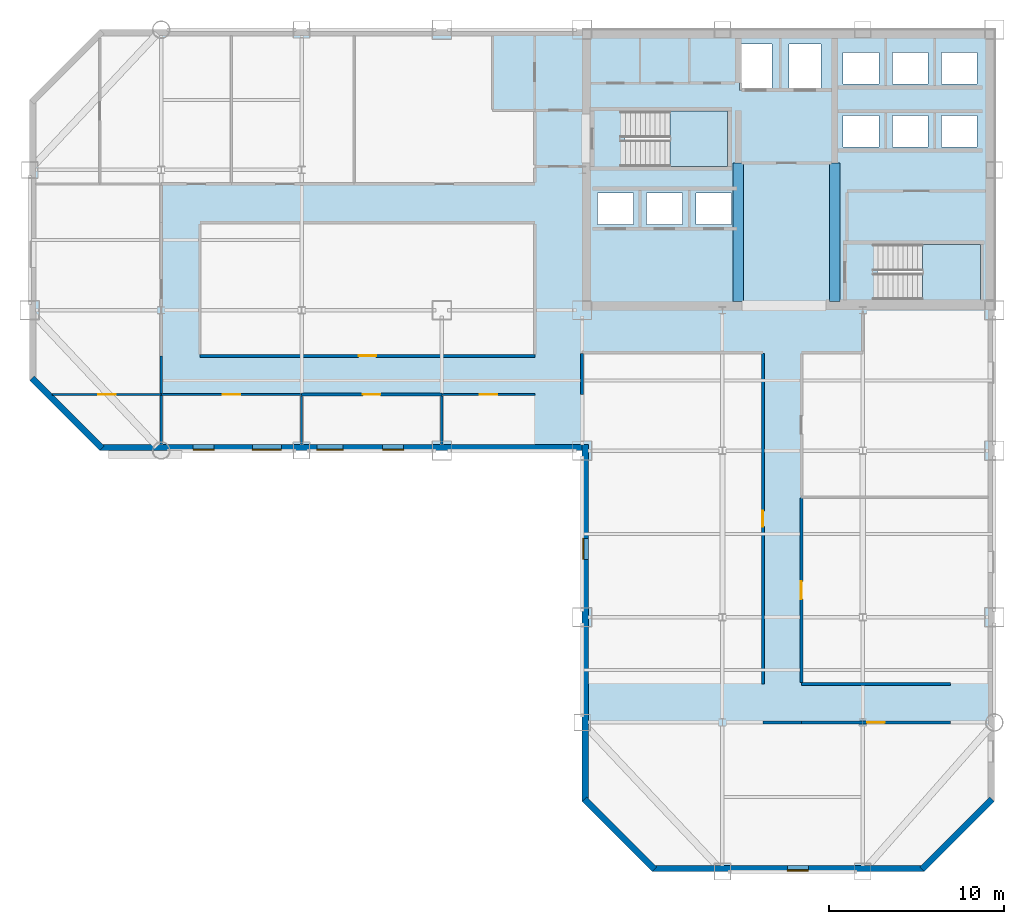
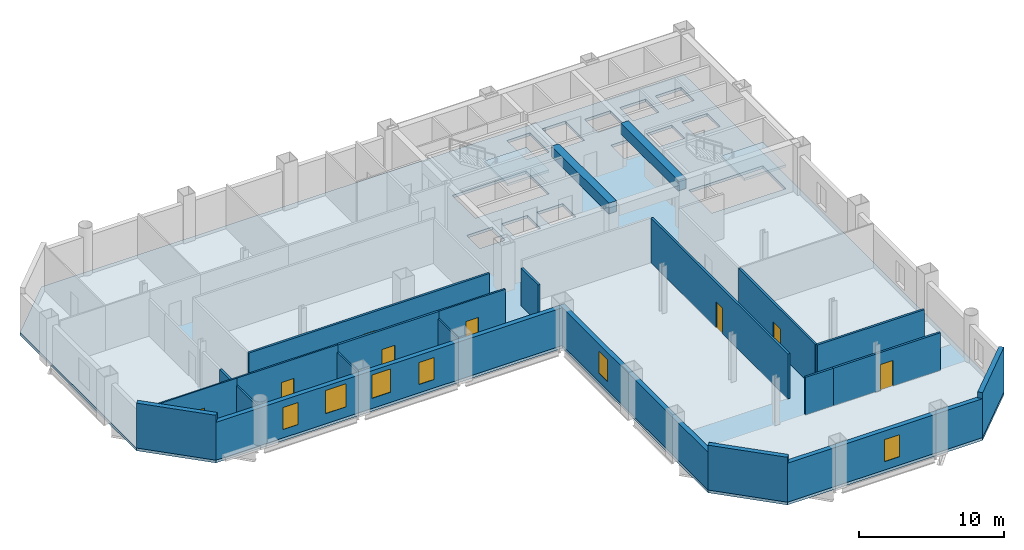
# One storey, part 5 of 10: 21 walls, 8 doors, 6 windows, 3 slabs, 2 beams, 14 openings, 2 elements without a shape of their own.
"""IFC4 building model written with IfcOpenShell, lengths in metres."""

from ifc_helpers import new_model, si_unit, direction, frame, frame_2d, origin, origin_2d, place, context, subcontext, project, spatial, polyline, rectangle, outline, extrude, material, layer, layer_set, material_profile, profile_set, type_object, element, fill, aggregate, save


model = new_model("IFC4")

# Units and contexts
model_context = context("Model", 3, precision=1e-05, world=origin(), true_north=direction((0.0, 1.0)))
body_context = subcontext(model_context, "Body", "Model", "MODEL_VIEW")
ifc_project = project(units=[si_unit("LENGTHUNIT", "METRE"), si_unit("AREAUNIT", "SQUARE_METRE"), si_unit("VOLUMEUNIT", "CUBIC_METRE"), si_unit("PLANEANGLEUNIT", "RADIAN"), si_unit("MASSUNIT", "GRAM", prefix="KILO")], contexts=[model_context])

# Site, building, storey
site_placement = place(None, origin())
site = spatial("IfcSite", under=ifc_project, at=site_placement, CompositionType="ELEMENT")
building_placement = place(site_placement, origin())
building = spatial("IfcBuilding", under=site, at=building_placement, Name="Qianrong Seaharbour Tower", CompositionType="ELEMENT")
storey_placement = place(building_placement, frame((0.0, 0.0, 171.0)))
storey = spatial("IfcBuildingStorey", under=building, at=storey_placement, Name="L41", CompositionType="ELEMENT", Elevation=171.0)

# Beams
ifc_material_1 = material(Name="Concrete C70/85", Category="concrete")
ifc_material_profile = material_profile(ifc_material_1, rectangle(XDim=0.60009765625, YDim=0.89990234375, at=origin_2d()), Name="RC600x900")
ifc_profile_set = profile_set([ifc_material_profile], Name="Concrete C70/85")
beam_type = type_object("IfcBeamType", Name="BM-LINTEL-900", PredefinedType="LINTEL", material=ifc_profile_set)
for number, where, z_axis, x_axis, name in (
    (1, (49.39990234375, 36.5, 3.31494140625), (0.0, 1.0, 0.0), (-1.0, 0.0, 0.0), "L41 Internal Core Coupling Beam IW1"),
    (2, (54.89990234375, 36.5, 3.31494140625), (0.0, 1.0, 0.0), (-1.0, 0.0, 0.0), "L41 Internal Core Coupling Beam IW2"),
):
    element("IfcBeam", number, at=place(storey_placement, frame(where, z_axis=z_axis, x_axis=x_axis)), inside=storey, type_object=beam_type, Name=name, PredefinedType="LINTEL", context=body_context, shape_type="SweptSolid", body=[
        extrude(rectangle(XDim=0.60009765625, YDim=0.89990234375, at=origin_2d()), origin(), (0.0, 0.0, 1.0), 7.89990234375),
    ])

# Stair, slab
ifc_material_2 = material(Name="Concrete C50/60", Category="concrete")
stair_type = type_object("IfcStairType", Name="STAIR-DOGLEG-1500-R22", PredefinedType="HALF_TURN_STAIR", material=ifc_material_2)
stair_1_placement = place(storey_placement, origin())
stair_1 = element("IfcStair", 3, at=stair_1_placement, inside=storey, type_object=stair_type, Name="L41 Protected Escape Stair ST-1", PredefinedType="HALF_TURN_STAIR")
ifc_layer_1 = layer(ifc_material_2, 0.199951171875)
ifc_layer_set_1 = layer_set([ifc_layer_1], Name="Concrete C50/60")
slab_type_1 = type_object("IfcSlabType", Name="SLAB-STAIR-LANDING-200", PredefinedType="LANDING", material=ifc_layer_set_1)
slab_1_placement = place(storey_placement, frame((0.0, 0.0, 1.800048828125)))
slab_1 = element("IfcSlab", 4, at=slab_1_placement, type_object=slab_type_1, Name="ST-1 landing 1", PredefinedType="LANDING", context=body_context, shape_type="SweptSolid", body=[
    extrude(outline(polyline([(45.5, 44.199951171875), (48.800048828125, 44.199951171875), (48.800048828125, 47.35009765625), (45.5, 47.35009765625), (45.5, 44.199951171875)])), origin(), (0.0, 0.0, 1.0), 0.199951171875),
])
aggregate(stair_1, [slab_1])

stair_2_placement = place(storey_placement, origin())
stair_2 = element("IfcStair", 5, at=stair_2_placement, inside=storey, type_object=stair_type, Name="L41 Protected Escape Stair ST-2", PredefinedType="HALF_TURN_STAIR")
slab_2_placement = place(storey_placement, frame((0.0, 0.0, 1.800048828125)))
slab_2 = element("IfcSlab", 6, at=slab_2_placement, type_object=slab_type_1, Name="ST-2 landing 1", PredefinedType="LANDING", context=body_context, shape_type="SweptSolid", body=[
    extrude(outline(polyline([(59.89990234375, 36.60009765625), (63.199951171875, 36.60009765625), (63.199951171875, 39.75), (59.89990234375, 39.75), (59.89990234375, 36.60009765625)])), origin(), (0.0, 0.0, 1.0), 0.199951171875),
])
aggregate(stair_2, [slab_2])

# Slab
ifc_layer_2 = layer(ifc_material_2, 0.235107421875)
ifc_layer_set_2 = layer_set([ifc_layer_2], Name="Concrete C50/60")
slab_type_2 = type_object("IfcSlabType", Name="SLAB-Z2-235", PredefinedType="FLOOR", material=ifc_layer_set_2)
slab_3_placement = place(storey_placement, frame((0.0, 0.0, -0.235107421875)))
element("IfcSlab", 7, at=slab_3_placement, inside=storey, type_object=slab_type_2, Name="L41 Structural Floor Slab", PredefinedType="FLOOR", context=body_context, shape_type="SweptSolid", body=[
    extrude(outline(polyline([(44.5, 4.0), (60.0, 4.0), (64.0, 8.0), (64.0, 52.0), (13.0, 52.0), (9.0, 48.0), (9.0, 32.0), (13.0, 28.0), (40.5, 28.0), (40.5, 8.0), (44.5, 4.0)]), holes=[polyline([(42.93994140625, 44.199951171875), (42.93994140625, 47.35009765625), (48.800048828125, 47.35009765625), (48.800048828125, 44.199951171875), (42.93994140625, 44.199951171875)]), polyline([(57.340087890625, 36.60009765625), (57.340087890625, 39.75), (63.199951171875, 39.75), (63.199951171875, 36.60009765625), (57.340087890625, 36.60009765625)]), polyline([(49.47998046875, 48.530029296875), (49.47998046875, 51.169921875), (51.320068359375, 51.169921875), (51.320068359375, 48.530029296875), (49.47998046875, 48.530029296875)]), polyline([(52.280029296875, 48.530029296875), (52.280029296875, 51.169921875), (54.1201171875, 51.169921875), (54.1201171875, 48.530029296875), (52.280029296875, 48.530029296875)]), polyline([(41.3798828125, 40.89990234375), (41.3798828125, 42.699951171875), (43.419921875, 42.699951171875), (43.419921875, 40.89990234375), (41.3798828125, 40.89990234375)]), polyline([(44.179931640625, 40.89990234375), (44.179931640625, 42.699951171875), (46.219970703125, 42.699951171875), (46.219970703125, 40.89990234375), (44.179931640625, 40.89990234375)]), polyline([(46.97998046875, 40.89990234375), (46.97998046875, 42.699951171875), (49.02001953125, 42.699951171875), (49.02001953125, 40.89990234375), (46.97998046875, 40.89990234375)]), polyline([(55.3798828125, 45.300048828125), (55.3798828125, 47.10009765625), (57.419921875, 47.10009765625), (57.419921875, 45.300048828125), (55.3798828125, 45.300048828125)]), polyline([(58.179931640625, 45.300048828125), (58.179931640625, 47.10009765625), (60.219970703125, 47.10009765625), (60.219970703125, 45.300048828125), (58.179931640625, 45.300048828125)]), polyline([(60.97998046875, 45.300048828125), (60.97998046875, 47.10009765625), (63.02001953125, 47.10009765625), (63.02001953125, 45.300048828125), (60.97998046875, 45.300048828125)]), polyline([(55.3798828125, 48.89990234375), (55.3798828125, 50.699951171875), (57.419921875, 50.699951171875), (57.419921875, 48.89990234375), (55.3798828125, 48.89990234375)]), polyline([(58.179931640625, 48.89990234375), (58.179931640625, 50.699951171875), (60.219970703125, 50.699951171875), (60.219970703125, 48.89990234375), (58.179931640625, 48.89990234375)]), polyline([(60.97998046875, 48.89990234375), (60.97998046875, 50.699951171875), (63.02001953125, 50.699951171875), (63.02001953125, 48.89990234375), (60.97998046875, 48.89990234375)])]), origin(), (0.0, 0.0, 1.0), 0.235107421875),
])

# Wall, opening, door
ifc_material_3 = material(Name="Fire-rated acoustic gypsum board partition")
ifc_layer_3 = layer(ifc_material_3, 0.1650390625)
ifc_layer_set_3 = layer_set([ifc_layer_3], Name="Fire-rated acoustic gypsum board partition")
wall_type_1 = type_object("IfcWallType", Name="WALL-CORR-PART-165", PredefinedType="PARTITIONING", material=ifc_layer_set_3)
wall_1_placement = place(storey_placement, frame((18.699951171875, 33.39990234375, 0.0), z_axis=(0.0, 0.0, 1.0), x_axis=(1.0, 0.0, 0.0)))
wall_1 = element("IfcWall", 8, at=wall_1_placement, inside=storey, type_object=wall_type_1, Name="L41 Interior Partition Wall 015", PredefinedType="PARTITIONING", context=body_context, shape_type="SweptSolid", body=[
    extrude(rectangle(XDim=19.10009765625, YDim=0.1650390625, at=frame_2d((9.550048828125, 0.0))), origin(), (0.0, 0.0, 1.0), 3.764892578125),
])
opening_1_placement = place(wall_1_placement, frame((9.050048828125, 0.0, 0.0)))
opening_1 = element("IfcOpeningElement", 9, at=opening_1_placement, cuts=wall_1, Name="Opening DO-01", PredefinedType="OPENING", context=body_context, shape_type="SweptSolid", body=[
    extrude(rectangle(XDim=1.0, YDim=2.14990234375, at=frame_2d((0.5, 1.074951171875))), frame((0.0, 0.092529296875, 0.0), z_axis=(0.0, -1.0, 0.0), x_axis=(1.0, 0.0, 0.0)), (0.0, 0.0, 1.0), 0.18505859375),
])
ifc_material_4 = material(Name="Acoustic timber and galvanized steel fire door assembly", Category="steel")
door_type_1 = type_object("IfcDoorType", Name="DOOR-OFFICE-1000x2150", OperationType="NOTDEFINED", PredefinedType="DOOR", material=ifc_material_4)
door_1_placement = place(opening_1_placement, origin())
door_1 = element("IfcDoor", 10, at=door_1_placement, inside=storey, type_object=door_type_1, Name="L41 Rehabilitation Fitness Hall Door", OperationType="SINGLE_SWING_LEFT", OverallHeight=2.14990234375, OverallWidth=1.0, PredefinedType="DOOR", context=body_context, shape_type="SweptSolid", body=[
    extrude(rectangle(XDim=1.0, YDim=2.14990234375, at=frame_2d((0.5, 1.074951171875))), frame((0.0, 0.02490234375, 0.0), z_axis=(0.0, -1.0, 0.0), x_axis=(1.0, 0.0, 0.0)), (0.0, 0.0, 1.0), 0.050048828125),
])
fill(opening_1, door_1)

wall_2_placement = place(storey_placement, frame((32.5, 31.199951171875, 0.0), z_axis=(0.0, 0.0, 1.0), x_axis=(-1.0, 0.0, 0.0)))
wall_2 = element("IfcWall", 11, at=wall_2_placement, inside=storey, type_object=wall_type_1, Name="L41 Interior Partition Wall 017", PredefinedType="PARTITIONING", context=body_context, shape_type="SweptSolid", body=[
    extrude(rectangle(XDim=8.0, YDim=0.1650390625, at=frame_2d((4.0, 0.0))), origin(), (0.0, 0.0, 1.0), 3.764892578125),
])
opening_2_placement = place(wall_2_placement, frame((3.5, 0.0, 0.0)))
opening_2 = element("IfcOpeningElement", 12, at=opening_2_placement, cuts=wall_2, Name="Opening DO-01", PredefinedType="OPENING", context=body_context, shape_type="SweptSolid", body=[
    extrude(rectangle(XDim=1.0, YDim=2.14990234375, at=frame_2d((0.5, 1.074951171875))), frame((0.0, 0.092529296875, 0.0), z_axis=(0.0, -1.0, 0.0), x_axis=(1.0, 0.0, 0.0)), (0.0, 0.0, 1.0), 0.18505859375),
])
door_2_placement = place(opening_2_placement, origin())
door_2 = element("IfcDoor", 13, at=door_2_placement, inside=storey, type_object=door_type_1, Name="L41 Wellness Room 3 Door", OperationType="SINGLE_SWING_RIGHT", OverallHeight=2.14990234375, OverallWidth=1.0, PredefinedType="DOOR", context=body_context, shape_type="SweptSolid", body=[
    extrude(rectangle(XDim=1.0, YDim=2.14990234375, at=frame_2d((0.5, 1.074951171875))), frame((0.0, 0.02490234375, 0.0), z_axis=(0.0, -1.0, 0.0), x_axis=(1.0, 0.0, 0.0)), (0.0, 0.0, 1.0), 0.050048828125),
])
fill(opening_2, door_2)

# Walls
wall_3_placement = place(storey_placement, frame((16.5, 31.257080078125, 0.0), z_axis=(0.0, 0.0, 1.0), x_axis=(0.0, 1.0, 0.0)))
element("IfcWall", 14, at=wall_3_placement, inside=storey, type_object=wall_type_1, Name="L41 Interior Partition Wall 019", PredefinedType="PARTITIONING", context=body_context, shape_type="SweptSolid", body=[
    extrude(rectangle(XDim=2.142822265625, YDim=0.1650390625, at=frame_2d((1.0712890625, 0.0))), origin(), (0.0, 0.0, 1.0), 3.156982421875),
])
wall_4_placement = place(storey_placement, frame((40.5, 33.525390625, 0.0), z_axis=(0.0, 0.0, 1.0), x_axis=(0.0, -1.0, 0.0)))
element("IfcWall", 15, at=wall_4_placement, inside=storey, type_object=wall_type_1, Name="L41 Interior Partition Wall 029", PredefinedType="PARTITIONING", context=body_context, shape_type="SweptSolid", body=[
    extrude(rectangle(XDim=2.325439453125, YDim=0.1650390625, at=frame_2d((1.16259765625, 0.0))), origin(), (0.0, 0.0, 1.0), 3.156982421875),
])
wall_5_placement = place(storey_placement, frame((53.0, 12.5, 0.0), z_axis=(0.0, 0.0, 1.0), x_axis=(-1.0, 0.0, 0.0)))
element("IfcWall", 16, at=wall_5_placement, inside=storey, type_object=wall_type_1, Name="L41 Interior Partition Wall 033", PredefinedType="PARTITIONING", context=body_context, shape_type="SweptSolid", body=[
    extrude(rectangle(XDim=2.199951171875, YDim=0.1650390625, at=frame_2d((1.10009765625, 0.0))), origin(), (0.0, 0.0, 1.0), 3.156982421875),
])

# Wall, opening, door
wall_6_placement = place(storey_placement, frame((53.0, 25.302978515625, 0.0), z_axis=(0.0, 0.0, 1.0), x_axis=(0.0, -1.0, 0.0)))
wall_6 = element("IfcWall", 17, at=wall_6_placement, inside=storey, type_object=wall_type_1, Name="L41 Interior Partition Wall 034", PredefinedType="PARTITIONING", context=body_context, shape_type="SweptSolid", body=[
    extrude(rectangle(XDim=10.528564453125, YDim=0.1650390625, at=frame_2d((5.26416015625, 0.0))), origin(), (0.0, 0.0, 1.0), 3.764892578125),
])
opening_3_placement = place(wall_6_placement, frame((4.76416015625, 0.0, 0.0)))
opening_3 = element("IfcOpeningElement", 18, at=opening_3_placement, cuts=wall_6, Name="Opening DO-01", PredefinedType="OPENING", context=body_context, shape_type="SweptSolid", body=[
    extrude(rectangle(XDim=1.0, YDim=2.14990234375, at=frame_2d((0.5, 1.074951171875))), frame((0.0, 0.092529296875, 0.0), z_axis=(0.0, -1.0, 0.0), x_axis=(1.0, 0.0, 0.0)), (0.0, 0.0, 1.0), 0.18505859375),
])
door_3_placement = place(opening_3_placement, origin())
door_3 = element("IfcDoor", 19, at=door_3_placement, inside=storey, type_object=door_type_1, Name="L41 Operations Open-Plan Office Door", OperationType="SINGLE_SWING_LEFT", OverallHeight=2.14990234375, OverallWidth=1.0, PredefinedType="DOOR", context=body_context, shape_type="SweptSolid", body=[
    extrude(rectangle(XDim=1.0, YDim=2.14990234375, at=frame_2d((0.5, 1.074951171875))), frame((0.0, 0.02490234375, 0.0), z_axis=(0.0, -1.0, 0.0), x_axis=(1.0, 0.0, 0.0)), (0.0, 0.0, 1.0), 0.050048828125),
])
fill(opening_3, door_3)

wall_7_placement = place(storey_placement, frame((50.800048828125, 14.699951171875, 0.0), z_axis=(0.0, 0.0, 1.0), x_axis=(0.0, 1.0, 0.0)))
wall_7 = element("IfcWall", 20, at=wall_7_placement, inside=storey, type_object=wall_type_1, Name="L41 Interior Partition Wall 036", PredefinedType="PARTITIONING", context=body_context, shape_type="SweptSolid", body=[
    extrude(rectangle(XDim=18.825439453125, YDim=0.1650390625, at=frame_2d((9.41259765625, 0.0))), origin(), (0.0, 0.0, 1.0), 3.764892578125),
])
opening_4_placement = place(wall_7_placement, frame((8.962890625, 0.0, 0.0)))
opening_4 = element("IfcOpeningElement", 21, at=opening_4_placement, cuts=wall_7, Name="Opening DS-01", PredefinedType="OPENING", context=body_context, shape_type="SweptSolid", body=[
    extrude(rectangle(XDim=0.89990234375, YDim=2.14990234375, at=frame_2d((0.449951171875, 1.074951171875))), frame((0.0, 0.092529296875, 0.0), z_axis=(0.0, -1.0, 0.0), x_axis=(1.0, 0.0, 0.0)), (0.0, 0.0, 1.0), 0.18505859375),
])
door_type_2 = type_object("IfcDoorType", Name="DOOR-STORE-900x2150", OperationType="NOTDEFINED", PredefinedType="DOOR", material=ifc_material_4)
door_4_placement = place(opening_4_placement, origin())
door_4 = element("IfcDoor", 22, at=door_4_placement, inside=storey, type_object=door_type_2, Name="L41 Clinical Dispensary Store Door", OperationType="SINGLE_SWING_LEFT", OverallHeight=2.14990234375, OverallWidth=0.89990234375, PredefinedType="DOOR", context=body_context, shape_type="SweptSolid", body=[
    extrude(rectangle(XDim=0.89990234375, YDim=2.14990234375, at=frame_2d((0.449951171875, 1.074951171875))), frame((0.0, 0.02490234375, 0.0), z_axis=(0.0, -1.0, 0.0), x_axis=(1.0, 0.0, 0.0)), (0.0, 0.0, 1.0), 0.050048828125),
])
fill(opening_4, door_4)

wall_8_placement = place(storey_placement, frame((61.5, 12.5, 0.0), z_axis=(0.0, 0.0, 1.0), x_axis=(-1.0, 0.0, 0.0)))
wall_8 = element("IfcWall", 23, at=wall_8_placement, inside=storey, type_object=wall_type_1, Name="L41 Interior Partition Wall 037", PredefinedType="PARTITIONING", context=body_context, shape_type="SweptSolid", body=[
    extrude(rectangle(XDim=8.5, YDim=0.1650390625, at=frame_2d((4.25, 0.0))), origin(), (0.0, 0.0, 1.0), 3.156982421875),
])
opening_5_placement = place(wall_8_placement, frame((3.75, 0.0, 0.0)))
opening_5 = element("IfcOpeningElement", 24, at=opening_5_placement, cuts=wall_8, Name="Opening DO-01", PredefinedType="OPENING", context=body_context, shape_type="SweptSolid", body=[
    extrude(rectangle(XDim=1.0, YDim=2.14990234375, at=frame_2d((0.5, 1.074951171875))), frame((0.0, 0.092529296875, 0.0), z_axis=(0.0, -1.0, 0.0), x_axis=(1.0, 0.0, 0.0)), (0.0, 0.0, 1.0), 0.18505859375),
])
door_5_placement = place(opening_5_placement, origin())
door_5 = element("IfcDoor", 25, at=door_5_placement, inside=storey, type_object=door_type_1, Name="L41 South Tip Open-Plan Office Door", OperationType="SINGLE_SWING_RIGHT", OverallHeight=2.14990234375, OverallWidth=1.0, PredefinedType="DOOR", context=body_context, shape_type="SweptSolid", body=[
    extrude(rectangle(XDim=1.0, YDim=2.14990234375, at=frame_2d((0.5, 1.074951171875))), frame((0.0, 0.02490234375, 0.0), z_axis=(0.0, -1.0, 0.0), x_axis=(1.0, 0.0, 0.0)), (0.0, 0.0, 1.0), 0.050048828125),
])
fill(opening_5, door_5)

# Wall
wall_9_placement = place(storey_placement, frame((53.0, 14.699951171875, 0.0), z_axis=(0.0, 0.0, 1.0), x_axis=(1.0, 0.0, 0.0)))
element("IfcWall", 26, at=wall_9_placement, inside=storey, type_object=wall_type_1, Name="L41 Interior Partition Wall 038", PredefinedType="PARTITIONING", context=body_context, shape_type="SweptSolid", body=[
    extrude(rectangle(XDim=8.5, YDim=0.1650390625, at=frame_2d((4.25, 0.0))), origin(), (0.0, 0.0, 1.0), 3.764892578125),
])

# Wall, opening, door
ifc_material_5 = material(Name="Demountable aluminium-framed acoustic office partition", Category="aluminium")
ifc_layer_4 = layer(ifc_material_5, 0.110107421875)
ifc_layer_set_4 = layer_set([ifc_layer_4], Name="Demountable aluminium-framed acoustic office partition")
wall_type_2 = type_object("IfcWallType", Name="WALL-DEMOUNT-110", PredefinedType="MOVABLE", material=ifc_layer_set_4)
wall_10_placement = place(storey_placement, frame((10.2978515625, 31.199951171875, 0.0), z_axis=(0.0, 0.0, 1.0), x_axis=(1.0, 0.0, 0.0)))
wall_10 = element("IfcWall", 27, at=wall_10_placement, inside=storey, type_object=wall_type_2, Name="L41 Interior Partition Wall 046", PredefinedType="MOVABLE", context=body_context, shape_type="SweptSolid", body=[
    extrude(rectangle(XDim=6.2021484375, YDim=0.110107421875, at=frame_2d((3.10107421875, 0.0))), origin(), (0.0, 0.0, 1.0), 3.764892578125),
])
opening_6_placement = place(wall_10_placement, frame((2.60107421875, 0.0, 0.0)))
opening_6 = element("IfcOpeningElement", 28, at=opening_6_placement, cuts=wall_10, Name="Opening DO-01", PredefinedType="OPENING", context=body_context, shape_type="SweptSolid", body=[
    extrude(rectangle(XDim=1.0, YDim=2.14990234375, at=frame_2d((0.5, 1.074951171875))), frame((0.0, 0.06494140625, 0.0), z_axis=(0.0, -1.0, 0.0), x_axis=(1.0, 0.0, 0.0)), (0.0, 0.0, 1.0), 0.130126953125),
])
door_6_placement = place(opening_6_placement, origin())
door_6 = element("IfcDoor", 29, at=door_6_placement, inside=storey, type_object=door_type_1, Name="L41 Wellness Room 1 Door", OperationType="SINGLE_SWING_RIGHT", OverallHeight=2.14990234375, OverallWidth=1.0, PredefinedType="DOOR", context=body_context, shape_type="SweptSolid", body=[
    extrude(rectangle(XDim=1.0, YDim=2.14990234375, at=frame_2d((0.5, 1.074951171875))), frame((0.0, 0.02490234375, 0.0), z_axis=(0.0, -1.0, 0.0), x_axis=(1.0, 0.0, 0.0)), (0.0, 0.0, 1.0), 0.050048828125),
])
fill(opening_6, door_6)

# Wall, opening, window
ifc_material_6 = material(Name="Unitised red brick on Precast concrete C45/55", Category="masonry")
ifc_layer_5 = layer(ifc_material_6, 0.360107421875)
ifc_layer_set_5 = layer_set([ifc_layer_5], Name="Unitised red brick on Precast concrete C45/55")
wall_type_3 = type_object("IfcWallType", Name="WALL-EXT-BRICK-RED-360", PredefinedType="SOLIDWALL", material=ifc_layer_set_5)
wall_11_placement = place(storey_placement, frame((40.679931640625, 8.0, 0.0), z_axis=(0.0, 0.0, 1.0), x_axis=(0.0, 1.0, 0.0)))
wall_11 = element("IfcWall", 30, at=wall_11_placement, inside=storey, type_object=wall_type_3, Name="L41 Exterior Masonry Facade Wall REENTRANT_WEST", PredefinedType="SOLIDWALL", context=body_context, shape_type="SweptSolid", body=[
    extrude(rectangle(XDim=20.360107421875, YDim=0.360107421875, at=frame_2d((10.18017578125, 0.0))), origin(), (0.0, 0.0, 1.0), 3.1650390625),
])
opening_7_placement = place(wall_11_placement, frame((13.800048828125, 0.0, 0.699951171875)))
opening_7 = element("IfcOpeningElement", 31, at=opening_7_placement, cuts=wall_11, Name="Opening WN-01", PredefinedType="OPENING", context=body_context, shape_type="SweptSolid", body=[
    extrude(rectangle(XDim=1.199951171875, YDim=1.85009765625, at=frame_2d((0.60009765625, 0.925048828125))), frame((0.0, 0.18994140625, 0.0), z_axis=(0.0, -1.0, 0.0), x_axis=(1.0, 0.0, 0.0)), (0.0, 0.0, 1.0), 0.380126953125),
])
ifc_material_7 = material(Name="Insulated low-e double glazing in thermally broken aluminium 6063-T6 frame", Category="aluminium")
window_type_1 = type_object("IfcWindowType", Name="WIN-PUNCH-1200x1850", PartitioningType="DOUBLE_PANEL_VERTICAL", PredefinedType="WINDOW", material=ifc_material_7)
window_1_placement = place(opening_7_placement, origin())
window_1 = element("IfcWindow", 32, at=window_1_placement, inside=storey, type_object=window_type_1, Name="L41 Deep-Set Punched Window 00.04", OverallHeight=1.85009765625, OverallWidth=1.199951171875, PartitioningType="DOUBLE_PANEL_VERTICAL", PredefinedType="WINDOW", context=body_context, shape_type="SweptSolid", body=[
    extrude(rectangle(XDim=1.199951171875, YDim=1.85009765625, at=frame_2d((0.60009765625, 0.925048828125))), frame((0.0, 0.150146484375, 0.0), z_axis=(0.0, -1.0, 0.0), x_axis=(1.0, 0.0, 0.0)), (0.0, 0.0, 1.0), 0.06005859375),
])
fill(opening_7, window_1)

# Wall, openings, windows
wall_12_placement = place(storey_placement, frame((40.52001953125, 28.179931640625, 0.0), z_axis=(0.0, 0.0, 1.0), x_axis=(-1.0, 0.0, 0.0)))
wall_12 = element("IfcWall", 33, at=wall_12_placement, inside=storey, type_object=wall_type_3, Name="L41 Exterior Masonry Facade Wall HARBOUR_RIBBON", PredefinedType="SOLIDWALL", context=body_context, shape_type="SweptSolid", body=[
    extrude(rectangle(XDim=27.52001953125, YDim=0.360107421875, at=frame_2d((13.760009765625, 0.0))), origin(), (0.0, 0.0, 1.0), 3.1650390625),
])
opening_8_placement = place(wall_12_placement, frame((10.199951171875, 0.0, 0.699951171875)))
opening_8 = element("IfcOpeningElement", 34, at=opening_8_placement, cuts=wall_12, Name="Opening WN-01", PredefinedType="OPENING", context=body_context, shape_type="SweptSolid", body=[
    extrude(rectangle(XDim=1.199951171875, YDim=1.85009765625, at=frame_2d((0.60009765625, 0.925048828125))), frame((0.0, 0.18994140625, 0.0), z_axis=(0.0, -1.0, 0.0), x_axis=(1.0, 0.0, 0.0)), (0.0, 0.0, 1.0), 0.380126953125),
])
opening_9_placement = place(wall_12_placement, frame((13.64990234375, 0.0, 0.85009765625)))
opening_9 = element("IfcOpeningElement", 35, at=opening_9_placement, cuts=wall_12, Name="Opening WN-03", PredefinedType="OPENING", context=body_context, shape_type="SweptSolid", body=[
    extrude(rectangle(XDim=1.5, YDim=1.949951171875, at=frame_2d((0.75, 0.97509765625))), frame((0.0, 0.18994140625, 0.0), z_axis=(0.0, -1.0, 0.0), x_axis=(1.0, 0.0, 0.0)), (0.0, 0.0, 1.0), 0.380126953125),
])
opening_10_placement = place(wall_12_placement, frame((17.175048828125, 0.0, 0.85009765625)))
opening_10 = element("IfcOpeningElement", 36, at=opening_10_placement, cuts=wall_12, Name="Opening WN-04", PredefinedType="OPENING", context=body_context, shape_type="SweptSolid", body=[
    extrude(rectangle(XDim=1.64990234375, YDim=1.949951171875, at=frame_2d((0.824951171875, 0.97509765625))), frame((0.0, 0.18994140625, 0.0), z_axis=(0.0, -1.0, 0.0), x_axis=(1.0, 0.0, 0.0)), (0.0, 0.0, 1.0), 0.380126953125),
])
opening_11_placement = place(wall_12_placement, frame((21.0, 0.0, 0.699951171875)))
opening_11 = element("IfcOpeningElement", 37, at=opening_11_placement, cuts=wall_12, Name="Opening WN-01", PredefinedType="OPENING", context=body_context, shape_type="SweptSolid", body=[
    extrude(rectangle(XDim=1.199951171875, YDim=1.85009765625, at=frame_2d((0.60009765625, 0.925048828125))), frame((0.0, 0.18994140625, 0.0), z_axis=(0.0, -1.0, 0.0), x_axis=(1.0, 0.0, 0.0)), (0.0, 0.0, 1.0), 0.380126953125),
])
window_2_placement = place(opening_8_placement, origin())
window_2 = element("IfcWindow", 38, at=window_2_placement, inside=storey, type_object=window_type_1, Name="L41 Deep-Set Punched Window 01.03", OverallHeight=1.85009765625, OverallWidth=1.199951171875, PartitioningType="DOUBLE_PANEL_VERTICAL", PredefinedType="WINDOW", context=body_context, shape_type="SweptSolid", body=[
    extrude(rectangle(XDim=1.199951171875, YDim=1.85009765625, at=frame_2d((0.60009765625, 0.925048828125))), frame((0.0, 0.150146484375, 0.0), z_axis=(0.0, -1.0, 0.0), x_axis=(1.0, 0.0, 0.0)), (0.0, 0.0, 1.0), 0.06005859375),
])
fill(opening_8, window_2)
window_3_placement = place(opening_11_placement, origin())
window_3 = element("IfcWindow", 39, at=window_3_placement, inside=storey, type_object=window_type_1, Name="L41 Deep-Set Punched Window 01.06", OverallHeight=1.85009765625, OverallWidth=1.199951171875, PartitioningType="DOUBLE_PANEL_VERTICAL", PredefinedType="WINDOW", context=body_context, shape_type="SweptSolid", body=[
    extrude(rectangle(XDim=1.199951171875, YDim=1.85009765625, at=frame_2d((0.60009765625, 0.925048828125))), frame((0.0, 0.150146484375, 0.0), z_axis=(0.0, -1.0, 0.0), x_axis=(1.0, 0.0, 0.0)), (0.0, 0.0, 1.0), 0.06005859375),
])
fill(opening_11, window_3)
window_type_2 = type_object("IfcWindowType", Name="WIN-PUNCH-1500x1950", PartitioningType="DOUBLE_PANEL_VERTICAL", PredefinedType="WINDOW", material=ifc_material_7)
window_4_placement = place(opening_9_placement, origin())
window_4 = element("IfcWindow", 40, at=window_4_placement, inside=storey, type_object=window_type_2, Name="L41 Deep-Set Punched Window 01.04", OverallHeight=1.949951171875, OverallWidth=1.5, PartitioningType="DOUBLE_PANEL_VERTICAL", PredefinedType="WINDOW", context=body_context, shape_type="SweptSolid", body=[
    extrude(rectangle(XDim=1.5, YDim=1.949951171875, at=frame_2d((0.75, 0.97509765625))), frame((0.0, 0.150146484375, 0.0), z_axis=(0.0, -1.0, 0.0), x_axis=(1.0, 0.0, 0.0)), (0.0, 0.0, 1.0), 0.06005859375),
])
fill(opening_9, window_4)
window_type_3 = type_object("IfcWindowType", Name="WIN-PUNCH-1650x1950", PartitioningType="DOUBLE_PANEL_VERTICAL", PredefinedType="WINDOW", material=ifc_material_7)
window_5_placement = place(opening_10_placement, origin())
window_5 = element("IfcWindow", 41, at=window_5_placement, inside=storey, type_object=window_type_3, Name="L41 Deep-Set Punched Window 01.05", OverallHeight=1.949951171875, OverallWidth=1.64990234375, PartitioningType="DOUBLE_PANEL_VERTICAL", PredefinedType="WINDOW", context=body_context, shape_type="SweptSolid", body=[
    extrude(rectangle(XDim=1.64990234375, YDim=1.949951171875, at=frame_2d((0.824951171875, 0.97509765625))), frame((0.0, 0.150146484375, 0.0), z_axis=(0.0, -1.0, 0.0), x_axis=(1.0, 0.0, 0.0)), (0.0, 0.0, 1.0), 0.06005859375),
])
fill(opening_10, window_5)

# Walls
for number, where, z_axis, x_axis, name in (
    (42, (13.127197265625, 28.127197265625, 0.0), (0.0, 0.0, 1.0), (-0.707106781187, 0.707106781187, 0.0), "L41 Exterior Masonry Facade Wall E02"),
    (43, (63.872802734375, 8.127197265625, 0.0), (0.0, 0.0, 1.0), (-0.707106781187, -0.707106781187, 0.0), "L41 Exterior Masonry Facade Wall E07"),
):
    element("IfcWall", number, at=place(storey_placement, frame(where, z_axis=z_axis, x_axis=x_axis)), inside=storey, type_object=wall_type_3, Name=name, PredefinedType="SOLIDWALL", context=body_context, shape_type="SweptSolid", body=[
        extrude(rectangle(XDim=5.65673828125, YDim=0.360107421875, at=frame_2d((2.828369140625, 0.0))), origin(), (0.0, 0.0, 1.0), 3.764892578125),
    ])

# Wall, opening, window
wall_13_placement = place(storey_placement, frame((60.0, 4.179931640625, 0.0), z_axis=(0.0, 0.0, 1.0), x_axis=(-1.0, 0.0, 0.0)))
wall_13 = element("IfcWall", 44, at=wall_13_placement, inside=storey, type_object=wall_type_3, Name="L41 Exterior Masonry Facade Wall SOUTH_TIP", PredefinedType="SOLIDWALL", context=body_context, shape_type="SweptSolid", body=[
    extrude(rectangle(XDim=15.5, YDim=0.360107421875, at=frame_2d((7.75, 0.0))), origin(), (0.0, 0.0, 1.0), 3.264892578125),
])
opening_12_placement = place(wall_13_placement, frame((6.60009765625, 0.0, 0.699951171875)))
opening_12 = element("IfcOpeningElement", 45, at=opening_12_placement, cuts=wall_13, Name="Opening WN-01", PredefinedType="OPENING", context=body_context, shape_type="SweptSolid", body=[
    extrude(rectangle(XDim=1.199951171875, YDim=1.85009765625, at=frame_2d((0.60009765625, 0.925048828125))), frame((0.0, 0.18994140625, 0.0), z_axis=(0.0, -1.0, 0.0), x_axis=(1.0, 0.0, 0.0)), (0.0, 0.0, 1.0), 0.380126953125),
])
window_6_placement = place(opening_12_placement, origin())
window_6 = element("IfcWindow", 46, at=window_6_placement, inside=storey, type_object=window_type_1, Name="L41 Deep-Set Punched Window 08.02", OverallHeight=1.85009765625, OverallWidth=1.199951171875, PartitioningType="DOUBLE_PANEL_VERTICAL", PredefinedType="WINDOW", context=body_context, shape_type="SweptSolid", body=[
    extrude(rectangle(XDim=1.199951171875, YDim=1.85009765625, at=frame_2d((0.60009765625, 0.925048828125))), frame((0.0, 0.150146484375, 0.0), z_axis=(0.0, -1.0, 0.0), x_axis=(1.0, 0.0, 0.0)), (0.0, 0.0, 1.0), 0.06005859375),
])
fill(opening_12, window_6)

# Wall
wall_14_placement = place(storey_placement, frame((44.627197265625, 4.127197265625, 0.0), z_axis=(0.0, 0.0, 1.0), x_axis=(-0.707106781187, 0.707106781187, 0.0)))
element("IfcWall", 47, at=wall_14_placement, inside=storey, type_object=wall_type_3, Name="L41 Exterior Masonry Facade Wall E09", PredefinedType="SOLIDWALL", context=body_context, shape_type="SweptSolid", body=[
    extrude(rectangle(XDim=5.65673828125, YDim=0.360107421875, at=frame_2d((2.828369140625, 0.0))), origin(), (0.0, 0.0, 1.0), 3.764892578125),
])

# Wall, opening, door
ifc_material_8 = material(Name="Water-resistant cement board sanitary partition")
ifc_layer_6 = layer(ifc_material_8, 0.1298828125)
ifc_layer_set_6 = layer_set([ifc_layer_6], Name="Water-resistant cement board sanitary partition")
wall_type_4 = type_object("IfcWallType", Name="WALL-WET-PART-130", PredefinedType="PARTITIONING", material=ifc_layer_set_6)
wall_15_placement = place(storey_placement, frame((24.5, 31.199951171875, 0.0), z_axis=(0.0, 0.0, 1.0), x_axis=(-1.0, 0.0, 0.0)))
wall_15 = element("IfcWall", 48, at=wall_15_placement, inside=storey, type_object=wall_type_4, Name="L41 Interior Partition Wall 016", PredefinedType="PARTITIONING", context=body_context, shape_type="SweptSolid", body=[
    extrude(rectangle(XDim=8.0, YDim=0.1298828125, at=frame_2d((4.0, 0.0))), origin(), (0.0, 0.0, 1.0), 3.764892578125),
])
opening_13_placement = place(wall_15_placement, frame((3.5, 0.0, 0.0)))
opening_13 = element("IfcOpeningElement", 49, at=opening_13_placement, cuts=wall_15, Name="Opening DO-01", PredefinedType="OPENING", context=body_context, shape_type="SweptSolid", body=[
    extrude(rectangle(XDim=1.0, YDim=2.14990234375, at=frame_2d((0.5, 1.074951171875))), frame((0.0, 0.074951171875, 0.0), z_axis=(0.0, -1.0, 0.0), x_axis=(1.0, 0.0, 0.0)), (0.0, 0.0, 1.0), 0.14990234375),
])
door_7_placement = place(opening_13_placement, origin())
door_7 = element("IfcDoor", 50, at=door_7_placement, inside=storey, type_object=door_type_1, Name="L41 Wet Pantry 2 Door", OperationType="SINGLE_SWING_LEFT", OverallHeight=2.14990234375, OverallWidth=1.0, PredefinedType="DOOR", context=body_context, shape_type="SweptSolid", body=[
    extrude(rectangle(XDim=1.0, YDim=2.14990234375, at=frame_2d((0.5, 1.074951171875))), frame((0.0, 0.02490234375, 0.0), z_axis=(0.0, -1.0, 0.0), x_axis=(1.0, 0.0, 0.0)), (0.0, 0.0, 1.0), 0.050048828125),
])
fill(opening_13, door_7)

wall_16_placement = place(storey_placement, frame((37.800048828125, 31.199951171875, 0.0), z_axis=(0.0, 0.0, 1.0), x_axis=(-1.0, 0.0, 0.0)))
wall_16 = element("IfcWall", 51, at=wall_16_placement, inside=storey, type_object=wall_type_4, Name="L41 Interior Partition Wall 018", PredefinedType="PARTITIONING", context=body_context, shape_type="SweptSolid", body=[
    extrude(rectangle(XDim=5.300048828125, YDim=0.1298828125, at=frame_2d((2.64990234375, 0.0))), origin(), (0.0, 0.0, 1.0), 3.764892578125),
])
opening_14_placement = place(wall_16_placement, frame((2.14990234375, 0.0, 0.0)))
opening_14 = element("IfcOpeningElement", 52, at=opening_14_placement, cuts=wall_16, Name="Opening DO-01", PredefinedType="OPENING", context=body_context, shape_type="SweptSolid", body=[
    extrude(rectangle(XDim=1.0, YDim=2.14990234375, at=frame_2d((0.5, 1.074951171875))), frame((0.0, 0.074951171875, 0.0), z_axis=(0.0, -1.0, 0.0), x_axis=(1.0, 0.0, 0.0)), (0.0, 0.0, 1.0), 0.14990234375),
])
door_8_placement = place(opening_14_placement, origin())
door_8 = element("IfcDoor", 53, at=door_8_placement, inside=storey, type_object=door_type_1, Name="L41 Wet Pantry 4 Door", OperationType="SINGLE_SWING_LEFT", OverallHeight=2.14990234375, OverallWidth=1.0, PredefinedType="DOOR", context=body_context, shape_type="SweptSolid", body=[
    extrude(rectangle(XDim=1.0, YDim=2.14990234375, at=frame_2d((0.5, 1.074951171875))), frame((0.0, 0.02490234375, 0.0), z_axis=(0.0, -1.0, 0.0), x_axis=(1.0, 0.0, 0.0)), (0.0, 0.0, 1.0), 0.050048828125),
])
fill(opening_14, door_8)

# Walls
wall_17_placement = place(storey_placement, frame((16.5, 31.14306640625, 0.0), z_axis=(0.0, 0.0, 1.0), x_axis=(0.0, -1.0, 0.0)))
element("IfcWall", 54, at=wall_17_placement, inside=storey, type_object=wall_type_4, Name="L41 Interior Partition Wall 045", PredefinedType="PARTITIONING", context=body_context, shape_type="SweptSolid", body=[
    extrude(rectangle(XDim=2.791015625, YDim=0.1298828125, at=frame_2d((1.3955078125, 0.0))), origin(), (0.0, 0.0, 1.0), 3.156982421875),
])
for number, where, z_axis, x_axis, name in (
    (55, (24.5, 31.12548828125, 0.0), (0.0, 0.0, 1.0), (0.0, -1.0, 0.0), "L41 Interior Partition Wall 047"),
    (56, (32.5, 31.12548828125, 0.0), (0.0, 0.0, 1.0), (0.0, -1.0, 0.0), "L41 Interior Partition Wall 048"),
):
    element("IfcWall", number, at=place(storey_placement, frame(where, z_axis=z_axis, x_axis=x_axis)), inside=storey, type_object=wall_type_4, Name=name, PredefinedType="PARTITIONING", context=body_context, shape_type="SweptSolid", body=[
        extrude(rectangle(XDim=2.7734375, YDim=0.1298828125, at=frame_2d((1.38671875, 0.0))), origin(), (0.0, 0.0, 1.0), 3.156982421875),
    ])

save(model, "model.ifc")
